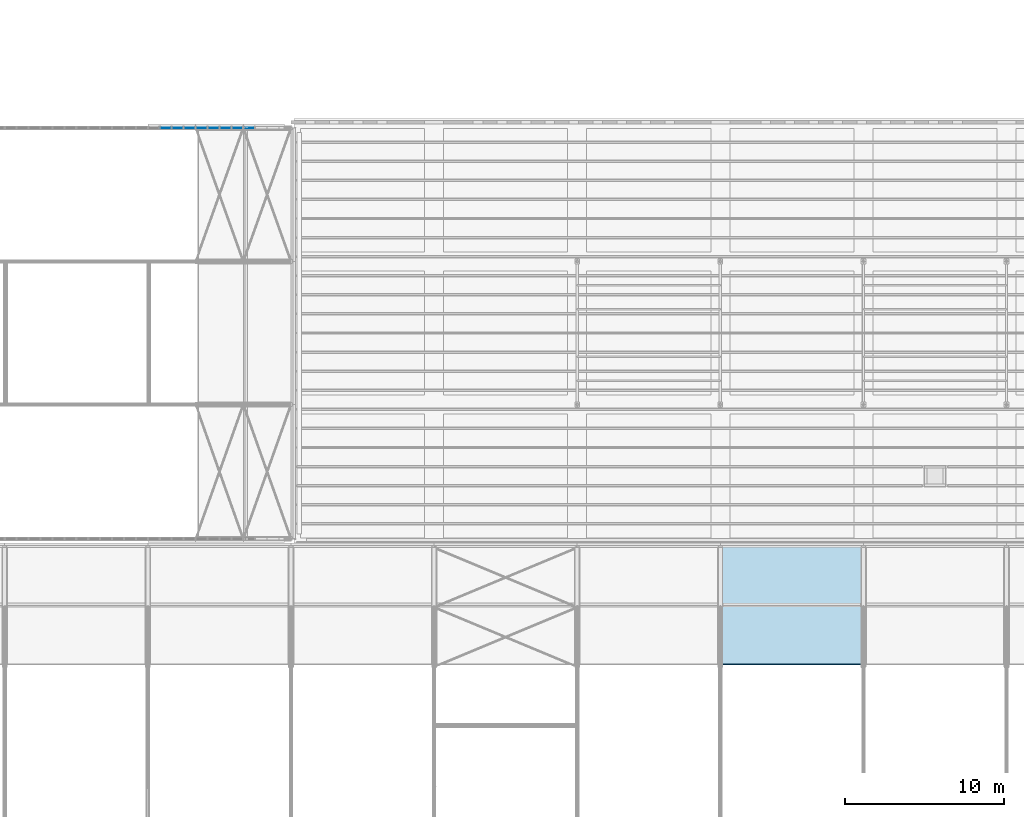
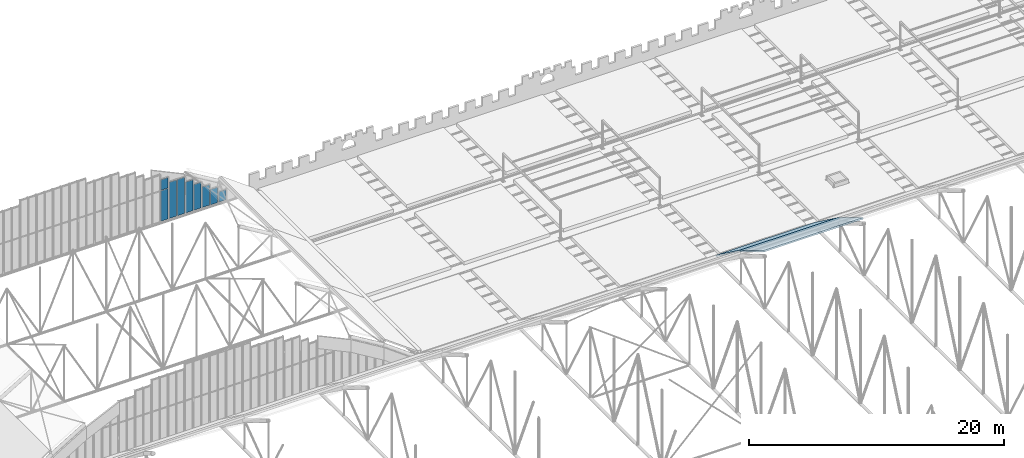
# One storey, part 100 of 153: 9 plates, 2 slabs, 8 elements without a shape of their own.
"""IFC4 building model written with IfcOpenShell, lengths in metres."""

from ifc_helpers import new_model, si_unit, direction, frame, origin, origin_2d, place, context, subcontext, project, spatial, polyline, rectangle, outline, extrude, material, layer, layer_set, type_object, element, aggregate, save


model = new_model("IFC4")

# Units and contexts
model_context = context("Model", 3, precision=1e-05, world=origin(), true_north=direction((0.0, 1.0)))
body_context = subcontext(model_context, "Body", "Model", "MODEL_VIEW")
ifc_project = project(units=[si_unit("LENGTHUNIT", "METRE"), si_unit("AREAUNIT", "SQUARE_METRE"), si_unit("VOLUMEUNIT", "CUBIC_METRE"), si_unit("PLANEANGLEUNIT", "RADIAN"), si_unit("MASSUNIT", "GRAM", prefix="KILO")], contexts=[model_context])

# Site, building, storey
site_placement = place(None, origin())
site = spatial("IfcSite", under=ifc_project, at=site_placement, CompositionType="ELEMENT")
building_placement = place(site_placement, origin())
building = spatial("IfcBuilding", under=site, at=building_placement, Name="Baradari Gate Terminus", CompositionType="ELEMENT")
storey_placement = place(building_placement, frame((0.0, 0.0, 11.699951171875)))
storey = spatial("IfcBuildingStorey", under=building, at=storey_placement, Name="L02", CompositionType="ELEMENT", Elevation=11.699951171875)

# Curtain wall, plates
ifc_material_1 = material(Name="Aluminium 6063-T6", Category="aluminium")
curtain_wall_type = type_object("IfcCurtainWallType", Name="Curtain wall CW-60 hall gable glazing", PredefinedType="NOTDEFINED", material=ifc_material_1)
curtain_wall_1_placement = place(storey_placement, origin())
curtain_wall_1 = element("IfcCurtainWall", 1, at=curtain_wall_1_placement, inside=storey, type_object=curtain_wall_type, Name="Hall gable glazing N38", PredefinedType="NOTDEFINED")
ifc_material_2 = material(Name="Insulating glass unit", Category="glass")
ifc_layer_1 = layer(ifc_material_2, 0.0439453125)
ifc_layer_set_1 = layer_set([ifc_layer_1], Name="Insulating glass unit")
plate_type = type_object("IfcPlateType", Name="Curtain wall glazing unit CP-60 44", PredefinedType="CURTAIN_PANEL", material=ifc_layer_set_1)
plate_1_placement = place(storey_placement, frame((163.125, 107.39990234375, 0.28466796875), z_axis=(0.0, 0.0, 1.0), x_axis=(1.0, 0.0, 0.0)))
plate_1 = element("IfcPlate", 2, at=plate_1_placement, type_object=plate_type, Name="CW-60 panel 1.1", PredefinedType="CURTAIN_PANEL", context=body_context, shape_type="SweptSolid", body=[
    extrude(rectangle(XDim=0.64990234375, YDim=0.0439453125, at=origin_2d()), origin(), (0.0, 0.0, 1.0), 2.925048828125),
])
plate_2_placement = place(storey_placement, frame((163.125, 107.39990234375, 3.259765625), z_axis=(0.0, 0.0, 1.0), x_axis=(1.0, 0.0, 0.0)))
plate_2 = element("IfcPlate", 3, at=plate_2_placement, type_object=plate_type, Name="CW-60 panel 1.2", PredefinedType="CURTAIN_PANEL", context=body_context, shape_type="SweptSolid", body=[
    extrude(rectangle(XDim=0.64990234375, YDim=0.0439453125, at=origin_2d()), origin(), (0.0, 0.0, 1.0), 0.990478515625),
])
aggregate(curtain_wall_1, [plate_1, plate_2])

# Curtain wall, plate
curtain_wall_2_placement = place(storey_placement, origin())
curtain_wall_2 = element("IfcCurtainWall", 4, at=curtain_wall_2_placement, inside=storey, type_object=curtain_wall_type, Name="Hall gable glazing N39", PredefinedType="NOTDEFINED")
plate_3_placement = place(storey_placement, frame((163.875, 107.39990234375, 0.28466796875), z_axis=(0.0, 0.0, 1.0), x_axis=(1.0, 0.0, 0.0)))
plate_3 = element("IfcPlate", 5, at=plate_3_placement, type_object=plate_type, Name="CW-60 panel 1.1", PredefinedType="CURTAIN_PANEL", context=body_context, shape_type="SweptSolid", body=[
    extrude(rectangle(XDim=0.64990234375, YDim=0.0439453125, at=origin_2d()), origin(), (0.0, 0.0, 1.0), 3.465576171875),
])
aggregate(curtain_wall_2, [plate_3])

curtain_wall_3_placement = place(storey_placement, origin())
curtain_wall_3 = element("IfcCurtainWall", 6, at=curtain_wall_3_placement, inside=storey, type_object=curtain_wall_type, Name="Hall gable glazing N40", PredefinedType="NOTDEFINED")
plate_4_placement = place(storey_placement, frame((164.625, 107.39990234375, 0.28466796875), z_axis=(0.0, 0.0, 1.0), x_axis=(1.0, 0.0, 0.0)))
plate_4 = element("IfcPlate", 7, at=plate_4_placement, type_object=plate_type, Name="CW-60 panel 1.1", PredefinedType="CURTAIN_PANEL", context=body_context, shape_type="SweptSolid", body=[
    extrude(rectangle(XDim=0.64990234375, YDim=0.0439453125, at=origin_2d()), origin(), (0.0, 0.0, 1.0), 3.465576171875),
])
aggregate(curtain_wall_3, [plate_4])

curtain_wall_4_placement = place(storey_placement, origin())
curtain_wall_4 = element("IfcCurtainWall", 8, at=curtain_wall_4_placement, inside=storey, type_object=curtain_wall_type, Name="Hall gable glazing N41", PredefinedType="NOTDEFINED")
plate_5_placement = place(storey_placement, frame((165.375, 107.39990234375, 0.28466796875), z_axis=(0.0, 0.0, 1.0), x_axis=(1.0, 0.0, 0.0)))
plate_5 = element("IfcPlate", 9, at=plate_5_placement, type_object=plate_type, Name="CW-60 panel 1.1", PredefinedType="CURTAIN_PANEL", context=body_context, shape_type="SweptSolid", body=[
    extrude(rectangle(XDim=0.64990234375, YDim=0.0439453125, at=origin_2d()), origin(), (0.0, 0.0, 1.0), 2.965576171875),
])
aggregate(curtain_wall_4, [plate_5])

curtain_wall_5_placement = place(storey_placement, origin())
curtain_wall_5 = element("IfcCurtainWall", 10, at=curtain_wall_5_placement, inside=storey, type_object=curtain_wall_type, Name="Hall gable glazing N42", PredefinedType="NOTDEFINED")
plate_6_placement = place(storey_placement, frame((166.125, 107.39990234375, 0.28466796875), z_axis=(0.0, 0.0, 1.0), x_axis=(1.0, 0.0, 0.0)))
plate_6 = element("IfcPlate", 11, at=plate_6_placement, type_object=plate_type, Name="CW-60 panel 1.1", PredefinedType="CURTAIN_PANEL", context=body_context, shape_type="SweptSolid", body=[
    extrude(rectangle(XDim=0.64990234375, YDim=0.0439453125, at=origin_2d()), origin(), (0.0, 0.0, 1.0), 2.465576171875),
])
aggregate(curtain_wall_5, [plate_6])

curtain_wall_6_placement = place(storey_placement, origin())
curtain_wall_6 = element("IfcCurtainWall", 12, at=curtain_wall_6_placement, inside=storey, type_object=curtain_wall_type, Name="Hall gable glazing N43", PredefinedType="NOTDEFINED")
plate_7_placement = place(storey_placement, frame((166.875, 107.39990234375, 0.28466796875), z_axis=(0.0, 0.0, 1.0), x_axis=(1.0, 0.0, 0.0)))
plate_7 = element("IfcPlate", 13, at=plate_7_placement, type_object=plate_type, Name="CW-60 panel 1.1", PredefinedType="CURTAIN_PANEL", context=body_context, shape_type="SweptSolid", body=[
    extrude(rectangle(XDim=0.64990234375, YDim=0.0439453125, at=origin_2d()), origin(), (0.0, 0.0, 1.0), 1.965576171875),
])
aggregate(curtain_wall_6, [plate_7])

curtain_wall_7_placement = place(storey_placement, origin())
curtain_wall_7 = element("IfcCurtainWall", 14, at=curtain_wall_7_placement, inside=storey, type_object=curtain_wall_type, Name="Hall gable glazing N44", PredefinedType="NOTDEFINED")
plate_8_placement = place(storey_placement, frame((167.625, 107.39990234375, 0.28466796875), z_axis=(0.0, 0.0, 1.0), x_axis=(1.0, 0.0, 0.0)))
plate_8 = element("IfcPlate", 15, at=plate_8_placement, type_object=plate_type, Name="CW-60 panel 1.1", PredefinedType="CURTAIN_PANEL", context=body_context, shape_type="SweptSolid", body=[
    extrude(rectangle(XDim=0.64990234375, YDim=0.0439453125, at=origin_2d()), origin(), (0.0, 0.0, 1.0), 1.465576171875),
])
aggregate(curtain_wall_7, [plate_8])

curtain_wall_8_placement = place(storey_placement, origin())
curtain_wall_8 = element("IfcCurtainWall", 16, at=curtain_wall_8_placement, inside=storey, type_object=curtain_wall_type, Name="Hall gable glazing N45", PredefinedType="NOTDEFINED")
plate_9_placement = place(storey_placement, frame((168.375, 107.39990234375, 0.28466796875), z_axis=(0.0, 0.0, 1.0), x_axis=(1.0, 0.0, 0.0)))
plate_9 = element("IfcPlate", 17, at=plate_9_placement, type_object=plate_type, Name="CW-60 panel 1.1", PredefinedType="CURTAIN_PANEL", context=body_context, shape_type="SweptSolid", body=[
    extrude(rectangle(XDim=0.64990234375, YDim=0.0439453125, at=origin_2d()), origin(), (0.0, 0.0, 1.0), 0.965576171875),
])
aggregate(curtain_wall_8, [plate_9])

# Slabs
ifc_material_3 = material(Name="Aluminium", Category="aluminium")
ifc_layer_2 = layer(ifc_material_3, 0.1201171875)
ifc_layer_set_2 = layer_set([ifc_layer_2], Name="Aluminium")
slab_type = type_object("IfcSlabType", Name="Shed roof panel", PredefinedType="ROOF", material=ifc_layer_set_2)
slab_1_placement = place(storey_placement, frame((198.0, 73.680908203125, 5.590576171875), z_axis=(0.0, 0.513297855318, 0.85821052879), x_axis=(1.0, 0.0, 0.0)))
element("IfcSlab", 18, at=slab_1_placement, inside=storey, type_object=slab_type, Name="RF/L02/B207-RP10", PredefinedType="ROOF", context=body_context, shape_type="SweptSolid", body=[
    extrude(outline(polyline([(0.0, 0.0), (9.0, 0.0), (9.0, 4.407677040601449), (0.0, 4.407677040601449), (0.0, 0.0)])), origin(), (0.0, 0.0, -1.0), 0.1201171875),
])
slab_2_placement = place(storey_placement, frame((198.0, 77.463623046875, 3.328125), z_axis=(0.0, 0.590775958062, 0.806835650784), x_axis=(1.0, 0.0, 0.0)))
element("IfcSlab", 19, at=slab_2_placement, inside=storey, type_object=slab_type, Name="RF/L02/B207-RP11", PredefinedType="ROOF", context=body_context, shape_type="SweptSolid", body=[
    extrude(outline(polyline([(0.0, 0.0), (9.0, 0.0), (9.0, 4.665639518056), (0.0, 4.665639518056), (0.0, 0.0)])), origin(), (0.0, 0.0, -1.0), 0.1201171875),
])

save(model, "model.ifc")
